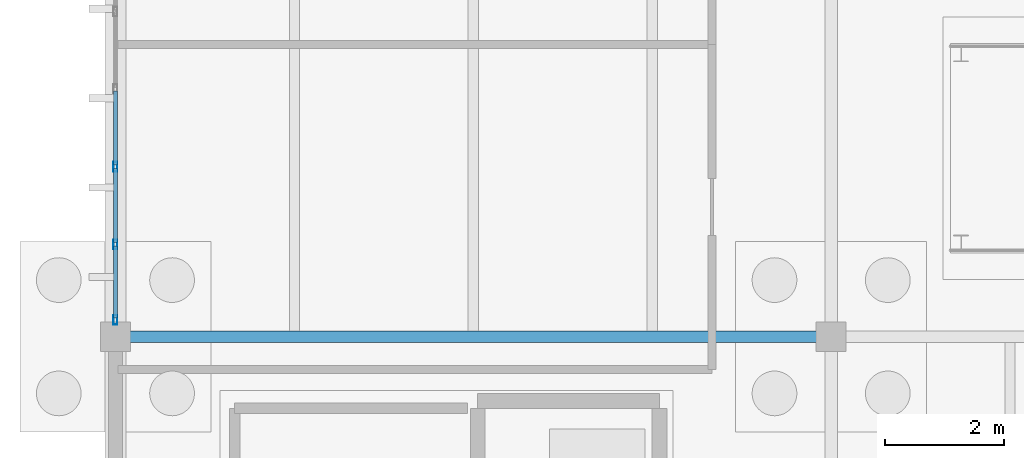
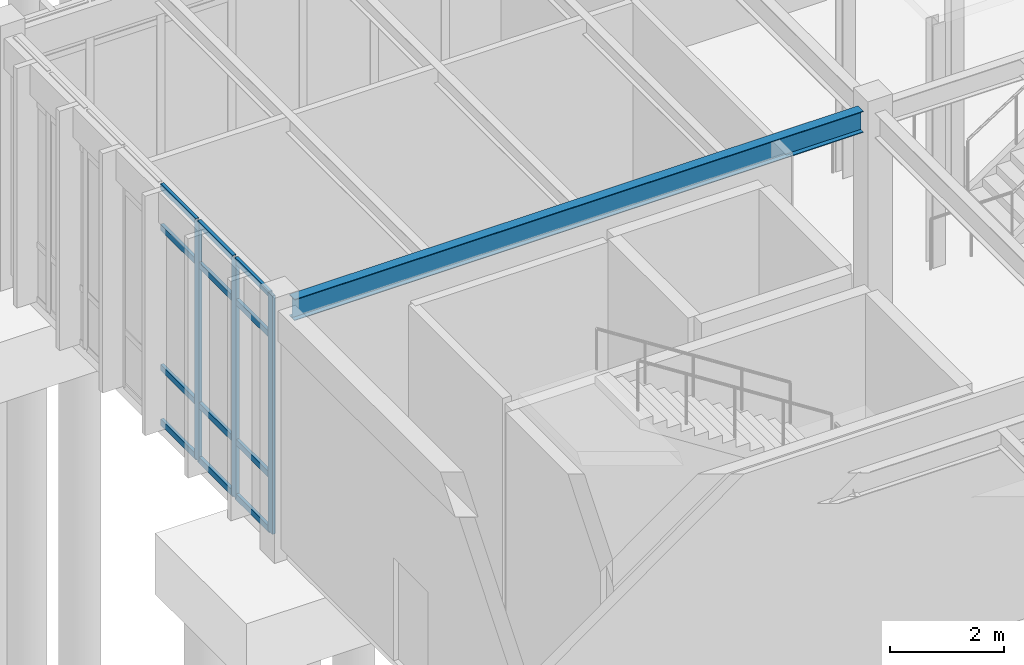
# One storey, part 26 of 188: 15 members, 1 beam, 1 element without a shape of its own.
"""IFC4 building model written with IfcOpenShell, lengths in metres."""

from ifc_helpers import new_model, si_unit, direction, frame, origin, origin_2d, place, context, subcontext, project, spatial, hollow_rectangle, i_section, extrude, material, layer, layer_set, material_profile, profile_set, type_object, element, aggregate, save


model = new_model("IFC4")

# Units and contexts
model_context = context("Model", 3, precision=1e-05, world=origin(), true_north=direction((0.0, 1.0)))
body_context = subcontext(model_context, "Body", "Model", "MODEL_VIEW")
ifc_project = project(units=[si_unit("LENGTHUNIT", "METRE"), si_unit("AREAUNIT", "SQUARE_METRE"), si_unit("VOLUMEUNIT", "CUBIC_METRE"), si_unit("PLANEANGLEUNIT", "RADIAN"), si_unit("MASSUNIT", "GRAM", prefix="KILO")], contexts=[model_context])

# Site, building, storey
site_placement = place(None, origin())
site = spatial("IfcSite", under=ifc_project, at=site_placement, CompositionType="ELEMENT")
building_placement = place(site_placement, origin())
building = spatial("IfcBuilding", under=site, at=building_placement, Name="Pandanus Reach Market Hall", CompositionType="ELEMENT")
storey_placement = place(building_placement, origin())
storey = spatial("IfcBuildingStorey", under=building, at=storey_placement, Name="L00", CompositionType="ELEMENT", Elevation=0.0)

# Beam
ifc_material_1 = material(Name="Steel Grade 350 (350 MPa)", Category="steel")
ifc_material_profile_1 = material_profile(ifc_material_1, i_section(OverallWidth=0.18994140625, OverallDepth=0.45703125, WebThickness=0.009033203125, FlangeThickness=0.014404296875, at=origin_2d()), Name="460UB74.6", Category="LoadBearing")
ifc_profile_set_1 = profile_set([ifc_material_profile_1], Name="Steel Grade 350 (350 MPa)")
beam_type = type_object("IfcBeamType", Name="BM-UB460-I", PredefinedType="BEAM", material=ifc_profile_set_1)
beam_placement = place(storey_placement, frame((0.248046875, 19.199951171875, 4.881103515625), z_axis=(1.0, 0.0, 0.0), x_axis=(0.0, 1.0, 0.0)))
element("IfcBeam", 1, at=beam_placement, inside=storey, type_object=beam_type, Name="Framing beam BM-UB460-I L00.927", PredefinedType="BEAM", context=body_context, shape_type="SweptSolid", body=[
    extrude(i_section(OverallWidth=0.18994140625, OverallDepth=0.45703125, WebThickness=0.009033203125, FlangeThickness=0.014404296875, at=origin_2d()), origin(), (0.0, 0.0, 1.0), 11.50390625),
])

# Curtain wall, members
ifc_material_2 = material(Name="Bronze anodised aluminium and low-E glass", Category="aluminium")
ifc_layer = layer(ifc_material_2, 0.159912109375, Name="CW-13")
ifc_layer_set = layer_set([ifc_layer], Name="Bronze anodised aluminium and low-E glass")
curtain_wall_type = type_object("IfcCurtainWallType", Name="CW-13", PredefinedType="NOTDEFINED", material=ifc_layer_set)
curtain_wall_placement = place(storey_placement, origin())
curtain_wall = element("IfcCurtainWall", 2, at=curtain_wall_placement, inside=storey, type_object=curtain_wall_type, Name="Glazed curtain wall CW-13 CW-0051", PredefinedType="NOTDEFINED")
ifc_material_3 = material(Name="Bronze anodised aluminium", Category="aluminium")
ifc_material_profile_2 = material_profile(ifc_material_3, hollow_rectangle(XDim=0.06494140625, YDim=0.159912109375, WallThickness=0.00390625, at=origin_2d()), Name="ALU65x160", Category="LoadBearing")
ifc_profile_set_2 = profile_set([ifc_material_profile_2], Name="Bronze anodised aluminium")
member_type_1 = type_object("IfcMemberType", Name="CW-M1", PredefinedType="MULLION", material=ifc_profile_set_2)
member_1_placement = place(storey_placement, frame((0.0, 19.482421875, 0.0), z_axis=(0.0, 0.0, 1.0), x_axis=(-1.0, 0.0, 0.0)))
member_1 = element("IfcMember", 3, at=member_1_placement, type_object=member_type_1, Name="CW-13 mullion 1", PredefinedType="MULLION", context=body_context, shape_type="SweptSolid", body=[
    extrude(hollow_rectangle(XDim=0.06494140625, YDim=0.159912109375, WallThickness=0.00390625, at=origin_2d()), origin(), (0.0, 0.0, 1.0), 5.10009765625),
])
member_2_placement = place(storey_placement, frame((0.0, 20.75, 0.0), z_axis=(0.0, 0.0, 1.0), x_axis=(-1.0, 0.0, 0.0)))
member_2 = element("IfcMember", 4, at=member_2_placement, type_object=member_type_1, Name="CW-13 mullion 2", PredefinedType="MULLION", context=body_context, shape_type="SweptSolid", body=[
    extrude(hollow_rectangle(XDim=0.06494140625, YDim=0.159912109375, WallThickness=0.00390625, at=origin_2d()), origin(), (0.0, 0.0, 1.0), 5.10009765625),
])
member_3_placement = place(storey_placement, frame((0.0, 22.050048828125, 0.0), z_axis=(0.0, 0.0, 1.0), x_axis=(-1.0, 0.0, 0.0)))
member_3 = element("IfcMember", 5, at=member_3_placement, type_object=member_type_1, Name="CW-13 mullion 3", PredefinedType="MULLION", context=body_context, shape_type="SweptSolid", body=[
    extrude(hollow_rectangle(XDim=0.06494140625, YDim=0.159912109375, WallThickness=0.00390625, at=origin_2d()), origin(), (0.0, 0.0, 1.0), 5.10009765625),
])
ifc_material_profile_3 = material_profile(ifc_material_3, hollow_rectangle(XDim=0.06494140625, YDim=0.1298828125, WallThickness=0.00390625, at=origin_2d()), Name="ALU65x130", Category="LoadBearing")
ifc_profile_set_3 = profile_set([ifc_material_profile_3], Name="Bronze anodised aluminium")
member_type_2 = type_object("IfcMemberType", Name="CW-T1", PredefinedType="USERDEFINED", material=ifc_profile_set_3)
member_4_placement = place(storey_placement, frame((0.0, 19.514892578125, 0.032470703125), z_axis=(0.0, 1.0, 0.0), x_axis=(-1.0, 0.0, 0.0)))
member_4 = element("IfcMember", 6, at=member_4_placement, type_object=member_type_2, Name="CW-13 transom 1.1", ObjectType="TRANSOM", PredefinedType="USERDEFINED", context=body_context, shape_type="SweptSolid", body=[
    extrude(hollow_rectangle(XDim=0.06494140625, YDim=0.1298828125, WallThickness=0.00390625, at=origin_2d()), origin(), (0.0, 0.0, 1.0), 1.20263671875),
])
member_5_placement = place(storey_placement, frame((0.0, 19.514892578125, 1.199951171875), z_axis=(0.0, 1.0, 0.0), x_axis=(-1.0, 0.0, 0.0)))
member_5 = element("IfcMember", 7, at=member_5_placement, type_object=member_type_2, Name="CW-13 transom 1.2", ObjectType="TRANSOM", PredefinedType="USERDEFINED", context=body_context, shape_type="SweptSolid", body=[
    extrude(hollow_rectangle(XDim=0.06494140625, YDim=0.1298828125, WallThickness=0.00390625, at=origin_2d()), origin(), (0.0, 0.0, 1.0), 1.20263671875),
])
member_6_placement = place(storey_placement, frame((0.0, 19.514892578125, 4.199951171875), z_axis=(0.0, 1.0, 0.0), x_axis=(-1.0, 0.0, 0.0)))
member_6 = element("IfcMember", 8, at=member_6_placement, type_object=member_type_2, Name="CW-13 transom 1.3", ObjectType="TRANSOM", PredefinedType="USERDEFINED", context=body_context, shape_type="SweptSolid", body=[
    extrude(hollow_rectangle(XDim=0.06494140625, YDim=0.1298828125, WallThickness=0.00390625, at=origin_2d()), origin(), (0.0, 0.0, 1.0), 1.20263671875),
])
member_7_placement = place(storey_placement, frame((0.0, 19.514892578125, 5.0673828125), z_axis=(0.0, 1.0, 0.0), x_axis=(-1.0, 0.0, 0.0)))
member_7 = element("IfcMember", 9, at=member_7_placement, type_object=member_type_2, Name="CW-13 transom 1.4", ObjectType="TRANSOM", PredefinedType="USERDEFINED", context=body_context, shape_type="SweptSolid", body=[
    extrude(hollow_rectangle(XDim=0.06494140625, YDim=0.1298828125, WallThickness=0.00390625, at=origin_2d()), origin(), (0.0, 0.0, 1.0), 1.20263671875),
])
member_8_placement = place(storey_placement, frame((0.0, 20.782470703125, 0.032470703125), z_axis=(0.0, 1.0, 0.0), x_axis=(-1.0, 0.0, 0.0)))
member_8 = element("IfcMember", 10, at=member_8_placement, type_object=member_type_2, Name="CW-13 transom 2.1", ObjectType="TRANSOM", PredefinedType="USERDEFINED", context=body_context, shape_type="SweptSolid", body=[
    extrude(hollow_rectangle(XDim=0.06494140625, YDim=0.1298828125, WallThickness=0.00390625, at=origin_2d()), origin(), (0.0, 0.0, 1.0), 1.235107421875),
])
member_9_placement = place(storey_placement, frame((0.0, 20.782470703125, 1.199951171875), z_axis=(0.0, 1.0, 0.0), x_axis=(-1.0, 0.0, 0.0)))
member_9 = element("IfcMember", 11, at=member_9_placement, type_object=member_type_2, Name="CW-13 transom 2.2", ObjectType="TRANSOM", PredefinedType="USERDEFINED", context=body_context, shape_type="SweptSolid", body=[
    extrude(hollow_rectangle(XDim=0.06494140625, YDim=0.1298828125, WallThickness=0.00390625, at=origin_2d()), origin(), (0.0, 0.0, 1.0), 1.235107421875),
])
member_10_placement = place(storey_placement, frame((0.0, 20.782470703125, 4.199951171875), z_axis=(0.0, 1.0, 0.0), x_axis=(-1.0, 0.0, 0.0)))
member_10 = element("IfcMember", 12, at=member_10_placement, type_object=member_type_2, Name="CW-13 transom 2.3", ObjectType="TRANSOM", PredefinedType="USERDEFINED", context=body_context, shape_type="SweptSolid", body=[
    extrude(hollow_rectangle(XDim=0.06494140625, YDim=0.1298828125, WallThickness=0.00390625, at=origin_2d()), origin(), (0.0, 0.0, 1.0), 1.235107421875),
])
member_11_placement = place(storey_placement, frame((0.0, 20.782470703125, 5.0673828125), z_axis=(0.0, 1.0, 0.0), x_axis=(-1.0, 0.0, 0.0)))
member_11 = element("IfcMember", 13, at=member_11_placement, type_object=member_type_2, Name="CW-13 transom 2.4", ObjectType="TRANSOM", PredefinedType="USERDEFINED", context=body_context, shape_type="SweptSolid", body=[
    extrude(hollow_rectangle(XDim=0.06494140625, YDim=0.1298828125, WallThickness=0.00390625, at=origin_2d()), origin(), (0.0, 0.0, 1.0), 1.235107421875),
])
member_12_placement = place(storey_placement, frame((0.0, 22.08251953125, 0.032470703125), z_axis=(0.0, 1.0, 0.0), x_axis=(-1.0, 0.0, 0.0)))
member_12 = element("IfcMember", 14, at=member_12_placement, type_object=member_type_2, Name="CW-13 transom 3.1", ObjectType="TRANSOM", PredefinedType="USERDEFINED", context=body_context, shape_type="SweptSolid", body=[
    extrude(hollow_rectangle(XDim=0.06494140625, YDim=0.1298828125, WallThickness=0.00390625, at=origin_2d()), origin(), (0.0, 0.0, 1.0), 1.23486328125),
])
member_13_placement = place(storey_placement, frame((0.0, 22.08251953125, 1.199951171875), z_axis=(0.0, 1.0, 0.0), x_axis=(-1.0, 0.0, 0.0)))
member_13 = element("IfcMember", 15, at=member_13_placement, type_object=member_type_2, Name="CW-13 transom 3.2", ObjectType="TRANSOM", PredefinedType="USERDEFINED", context=body_context, shape_type="SweptSolid", body=[
    extrude(hollow_rectangle(XDim=0.06494140625, YDim=0.1298828125, WallThickness=0.00390625, at=origin_2d()), origin(), (0.0, 0.0, 1.0), 1.23486328125),
])
member_14_placement = place(storey_placement, frame((0.0, 22.08251953125, 4.199951171875), z_axis=(0.0, 1.0, 0.0), x_axis=(-1.0, 0.0, 0.0)))
member_14 = element("IfcMember", 16, at=member_14_placement, type_object=member_type_2, Name="CW-13 transom 3.3", ObjectType="TRANSOM", PredefinedType="USERDEFINED", context=body_context, shape_type="SweptSolid", body=[
    extrude(hollow_rectangle(XDim=0.06494140625, YDim=0.1298828125, WallThickness=0.00390625, at=origin_2d()), origin(), (0.0, 0.0, 1.0), 1.23486328125),
])
member_15_placement = place(storey_placement, frame((0.0, 22.08251953125, 5.0673828125), z_axis=(0.0, 1.0, 0.0), x_axis=(-1.0, 0.0, 0.0)))
member_15 = element("IfcMember", 17, at=member_15_placement, type_object=member_type_2, Name="CW-13 transom 3.4", ObjectType="TRANSOM", PredefinedType="USERDEFINED", context=body_context, shape_type="SweptSolid", body=[
    extrude(hollow_rectangle(XDim=0.06494140625, YDim=0.1298828125, WallThickness=0.00390625, at=origin_2d()), origin(), (0.0, 0.0, 1.0), 1.23486328125),
])
aggregate(curtain_wall, [member_1, member_2, member_3, member_4, member_5, member_6, member_7, member_8, member_9, member_10, member_11, member_12, member_13, member_14, member_15])

save(model, "model.ifc")
